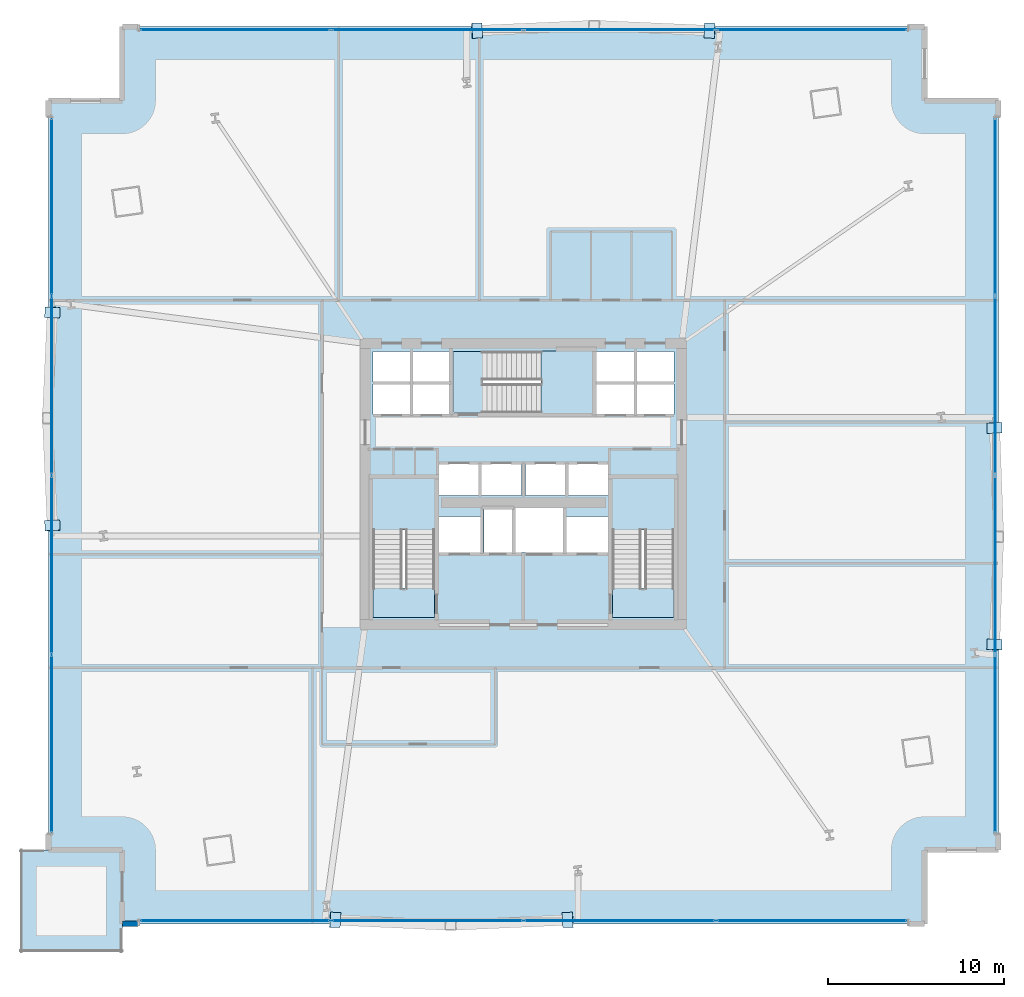
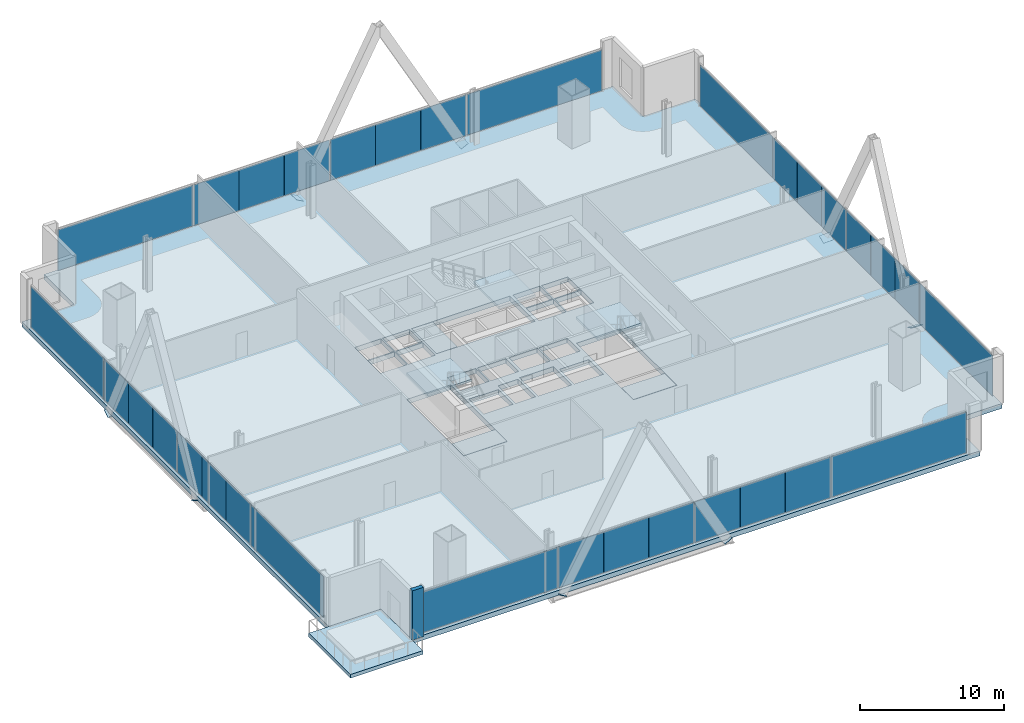
# One storey, part 19 of 29: 40 plates, 8 slabs, 1 wall, 7 elements without a shape of their own.
"""IFC4 building model written with IfcOpenShell, lengths in metres."""

from ifc_helpers import new_model, si_unit, direction, frame, frame_2d, origin, origin_2d, place, context, subcontext, project, spatial, polyline, rectangle, outline, extrude, source, transform, mapped, material, layer, layer_set, type_object, element, aggregate, save


model = new_model("IFC4")

# Units and contexts
model_context = context("Model", 3, precision=1e-05, world=origin(), true_north=direction((0.0, 1.0)))
body_context = subcontext(model_context, "Body", "Model", "MODEL_VIEW")
ifc_project = project(units=[si_unit("LENGTHUNIT", "METRE"), si_unit("AREAUNIT", "SQUARE_METRE"), si_unit("VOLUMEUNIT", "CUBIC_METRE"), si_unit("PLANEANGLEUNIT", "RADIAN"), si_unit("MASSUNIT", "GRAM", prefix="KILO")], contexts=[model_context])

# Site, building, storey
site_placement = place(None, origin())
site = spatial("IfcSite", under=ifc_project, at=site_placement, CompositionType="ELEMENT")
building_placement = place(site_placement, origin())
building = spatial("IfcBuilding", under=site, at=building_placement, Name="Haldenkirk Collegiate Tower", CompositionType="ELEMENT")
storey_placement = place(building_placement, frame((0.0, 0.0, 28.199951171875)))
storey = spatial("IfcBuildingStorey", under=building, at=storey_placement, Name="L05", CompositionType="ELEMENT", Elevation=28.199951171875)

# Slab
ifc_material_1 = material(Name="Concrete f'c 40 MPa", Category="concrete")
ifc_layer_1 = layer(ifc_material_1, 0.409912109375)
ifc_layer_set_1 = layer_set([ifc_layer_1], Name="Concrete f'c 40 MPa")
slab_type_1 = type_object("IfcSlabType", Name="SLB-FLR-410", PredefinedType="FLOOR", material=ifc_layer_set_1)
slab_1_placement = place(storey_placement, frame((0.0, 0.0, -0.409912109375)))
element("IfcSlab", 1, at=slab_1_placement, inside=storey, type_object=slab_type_1, Name="L05 composite structural floor slab", PredefinedType="FLOOR", context=body_context, shape_type="SweptSolid", body=[
    extrude(outline(polyline([(13.199951171875, 1.0), (58.800048828125, 1.0), (58.800048828125, 5.199951171875), (63.0, 5.199951171875), (63.0, 47.800048828125), (58.800048828125, 47.800048828125), (58.800048828125, 52.0), (13.199951171875, 52.0), (13.199951171875, 47.800048828125), (9.0, 47.800048828125), (9.0, 5.199951171875), (13.199951171875, 5.199951171875), (13.199951171875, 1.0)]), holes=[polyline([(27.449951171875, 18.39990234375), (30.949951171875, 18.39990234375), (30.949951171875, 26.300048828125), (27.449951171875, 26.300048828125), (27.449951171875, 18.39990234375)]), polyline([(41.050048828125, 18.39990234375), (44.550048828125, 18.39990234375), (44.550048828125, 26.300048828125), (41.050048828125, 26.300048828125), (41.050048828125, 18.39990234375)]), polyline([(32.0, 30.050048828125), (39.89990234375, 30.050048828125), (39.89990234375, 33.550048828125), (32.0, 33.550048828125), (32.0, 30.050048828125)]), polyline([(33.75, 22.10009765625), (35.35009765625, 22.10009765625), (35.35009765625, 24.550048828125), (33.75, 24.550048828125), (33.75, 22.10009765625)]), polyline([(27.449951171875, 29.949951171875), (29.580078125, 29.949951171875), (29.580078125, 31.699951171875), (27.449951171875, 31.699951171875), (27.449951171875, 29.949951171875)]), polyline([(29.679931640625, 29.949951171875), (31.85009765625, 29.949951171875), (31.85009765625, 31.699951171875), (29.679931640625, 31.699951171875), (29.679931640625, 29.949951171875)]), polyline([(27.449951171875, 31.800048828125), (29.580078125, 31.800048828125), (29.580078125, 33.550048828125), (27.449951171875, 33.550048828125), (27.449951171875, 31.800048828125)]), polyline([(29.679931640625, 31.800048828125), (31.85009765625, 31.800048828125), (31.85009765625, 33.550048828125), (29.679931640625, 33.550048828125), (29.679931640625, 31.800048828125)]), polyline([(40.14990234375, 29.949951171875), (42.320068359375, 29.949951171875), (42.320068359375, 31.699951171875), (40.14990234375, 31.699951171875), (40.14990234375, 29.949951171875)]), polyline([(42.419921875, 29.949951171875), (44.550048828125, 29.949951171875), (44.550048828125, 31.699951171875), (42.419921875, 31.699951171875), (42.419921875, 29.949951171875)]), polyline([(40.14990234375, 31.800048828125), (42.320068359375, 31.800048828125), (42.320068359375, 33.550048828125), (40.14990234375, 33.550048828125), (40.14990234375, 31.800048828125)]), polyline([(42.419921875, 31.800048828125), (44.550048828125, 31.800048828125), (44.550048828125, 33.550048828125), (42.419921875, 33.550048828125), (42.419921875, 31.800048828125)]), polyline([(31.199951171875, 25.35009765625), (33.47998046875, 25.35009765625), (33.47998046875, 27.14990234375), (31.199951171875, 27.14990234375), (31.199951171875, 25.35009765625)]), polyline([(33.60009765625, 25.35009765625), (35.8798828125, 25.35009765625), (35.8798828125, 27.14990234375), (33.60009765625, 27.14990234375), (33.60009765625, 25.35009765625)]), polyline([(36.1201171875, 25.35009765625), (38.39990234375, 25.35009765625), (38.39990234375, 27.14990234375), (36.1201171875, 27.14990234375), (36.1201171875, 25.35009765625)]), polyline([(38.52001953125, 25.35009765625), (40.800048828125, 25.35009765625), (40.800048828125, 27.14990234375), (38.52001953125, 27.14990234375), (38.52001953125, 25.35009765625)]), polyline([(31.199951171875, 22.10009765625), (33.550048828125, 22.10009765625), (33.550048828125, 24.14990234375), (31.199951171875, 24.14990234375), (31.199951171875, 22.10009765625)]), polyline([(38.449951171875, 22.10009765625), (40.800048828125, 22.10009765625), (40.800048828125, 24.14990234375), (38.449951171875, 24.14990234375), (38.449951171875, 22.10009765625)]), polyline([(35.550048828125, 22.10009765625), (38.25, 22.10009765625), (38.25, 24.64990234375), (35.550048828125, 24.64990234375), (35.550048828125, 22.10009765625)])]), origin(), (0.0, 0.0, 1.0), 0.409912109375),
])

# Stair, slab
stair_type = type_object("IfcStairType", Name="STR-DOGLEG-1650", PredefinedType="HALF_TURN_STAIR", material=ifc_material_1)
stair_1_placement = place(storey_placement, origin())
stair_1 = element("IfcStair", 2, at=stair_1_placement, inside=storey, type_object=stair_type, Name="L05 Core Exit Stair ST-1", PredefinedType="HALF_TURN_STAIR")
ifc_layer_2 = layer(ifc_material_1, 0.199951171875)
ifc_layer_set_2 = layer_set([ifc_layer_2], Name="Concrete f'c 40 MPa")
slab_type_2 = type_object("IfcSlabType", Name="SLB-LANDING-200", PredefinedType="LANDING", material=ifc_layer_set_2)
slab_2_placement = place(storey_placement, frame((0.0, 0.0, 2.050048828125)))
slab_2 = element("IfcSlab", 3, at=slab_2_placement, type_object=slab_type_2, Name="ST-1 landing 1", PredefinedType="LANDING", context=body_context, shape_type="SweptSolid", body=[
    extrude(outline(polyline([(30.97509765625, 23.385009765625), (27.425048828125, 23.385009765625), (27.425048828125, 26.324951171875), (30.97509765625, 26.324951171875), (30.97509765625, 23.385009765625)])), origin(), (0.0, 0.0, 1.0), 0.199951171875),
])
aggregate(stair_1, [slab_2])

stair_2_placement = place(storey_placement, origin())
stair_2 = element("IfcStair", 4, at=stair_2_placement, inside=storey, type_object=stair_type, Name="L05 Core Exit Stair ST-2", PredefinedType="HALF_TURN_STAIR")
slab_3_placement = place(storey_placement, frame((0.0, 0.0, 2.050048828125)))
slab_3 = element("IfcSlab", 5, at=slab_3_placement, type_object=slab_type_2, Name="ST-2 landing 1", PredefinedType="LANDING", context=body_context, shape_type="SweptSolid", body=[
    extrude(outline(polyline([(44.574951171875, 23.385009765625), (41.02490234375, 23.385009765625), (41.02490234375, 26.324951171875), (44.574951171875, 26.324951171875), (44.574951171875, 23.385009765625)])), origin(), (0.0, 0.0, 1.0), 0.199951171875),
])
aggregate(stair_2, [slab_3])

stair_3_placement = place(storey_placement, origin())
stair_3 = element("IfcStair", 6, at=stair_3_placement, inside=storey, type_object=stair_type, Name="L05 Core Exit Stair ST-3", PredefinedType="HALF_TURN_STAIR")
slab_4_placement = place(storey_placement, frame((0.0, 0.0, 2.050048828125)))
slab_4 = element("IfcSlab", 7, at=slab_4_placement, type_object=slab_type_2, Name="ST-3 landing 1", PredefinedType="LANDING", context=body_context, shape_type="SweptSolid", body=[
    extrude(outline(polyline([(36.985107421875, 30.02490234375), (36.985107421875, 33.574951171875), (39.925048828125, 33.574951171875), (39.925048828125, 30.02490234375), (36.985107421875, 30.02490234375)])), origin(), (0.0, 0.0, 1.0), 0.199951171875),
])
aggregate(stair_3, [slab_4])

# Slabs
ifc_layer_3 = layer(ifc_material_1, 0.31005859375)
ifc_layer_set_3 = layer_set([ifc_layer_3], Name="Concrete f'c 40 MPa")
slab_type_3 = type_object("IfcSlabType", Name="SLB-SKYGARDEN-310", PredefinedType="ROOF", material=ifc_layer_set_3)
slab_5_placement = place(storey_placement, frame((0.0, 0.0, -0.31005859375)))
element("IfcSlab", 8, at=slab_5_placement, inside=storey, type_object=slab_type_3, Name="L05 sky-garden planted terrace slab", PredefinedType="ROOF", context=body_context, shape_type="SweptSolid", body=[
    extrude(outline(polyline([(7.39990234375, -0.60009765625), (13.199951171875, -0.60009765625), (13.199951171875, 5.199951171875), (7.39990234375, 5.199951171875), (7.39990234375, -0.60009765625)])), origin(), (0.0, 0.0, 1.0), 0.31005859375),
])
ifc_layer_4 = layer(ifc_material_1, 0.25)
ifc_layer_set_4 = layer_set([ifc_layer_4], Name="Concrete f'c 40 MPa")
slab_type_4 = type_object("IfcSlabType", Name="SLB-STAIRLAND-250", PredefinedType="LANDING", material=ifc_layer_set_4)
slab_6_placement = place(storey_placement, frame((0.0, 0.0, -0.25)))
element("IfcSlab", 9, at=slab_6_placement, inside=storey, type_object=slab_type_4, Name="L05 stair ST1 structural floor landing slab", PredefinedType="LANDING", context=body_context, shape_type="SweptSolid", body=[
    extrude(outline(polyline([(27.4599609375, 18.409912109375), (30.93994140625, 18.409912109375), (30.93994140625, 20.080078125), (27.4599609375, 20.080078125), (27.4599609375, 18.409912109375)])), origin(), (0.0, 0.0, 1.0), 0.25),
])
slab_7_placement = place(storey_placement, frame((0.0, 0.0, -0.25)))
element("IfcSlab", 10, at=slab_7_placement, inside=storey, type_object=slab_type_4, Name="L05 stair ST2 structural floor landing slab", PredefinedType="LANDING", context=body_context, shape_type="SweptSolid", body=[
    extrude(outline(polyline([(41.06005859375, 18.409912109375), (44.5400390625, 18.409912109375), (44.5400390625, 20.080078125), (41.06005859375, 20.080078125), (41.06005859375, 18.409912109375)])), origin(), (0.0, 0.0, 1.0), 0.25),
])
slab_8_placement = place(storey_placement, frame((0.0, 0.0, -0.25)))
element("IfcSlab", 11, at=slab_8_placement, inside=storey, type_object=slab_type_4, Name="L05 stair ST3 structural floor landing slab", PredefinedType="LANDING", context=body_context, shape_type="SweptSolid", body=[
    extrude(outline(polyline([(32.010009765625, 30.06005859375), (33.679931640625, 30.06005859375), (33.679931640625, 33.5400390625), (32.010009765625, 33.5400390625), (32.010009765625, 30.06005859375)])), origin(), (0.0, 0.0, 1.0), 0.25),
])

# Plates
ifc_material_2 = material(Name="Steel ASTM A572 Grade 50", Category="steel")
ifc_layer_5 = layer(ifc_material_2, 0.034912109375)
ifc_layer_set_5 = layer_set([ifc_layer_5], Name="Steel ASTM A572 Grade 50")
plate_type_1 = type_object("IfcPlateType", Name="PLT-CAP-EXT-760X600", PredefinedType="USERDEFINED", material=ifc_layer_set_5)
shared_shape_1 = source(origin(), body_context, "Body", "SweptSolid", [
    extrude(rectangle(XDim=0.860107421875, YDim=0.659912109375, at=origin_2d()), origin(), (0.0, 0.0, 1.0), 0.034912109375),
])
for number, where, z_axis, x_axis, name in (
    (12, (25.310302734375, 1.2197265625, -0.417236328125), (-0.47594008721, 0.021406003922, -0.879217161106), (-0.044931737451, -0.998990059495, 4.88968e-07), "Perimeter Mega Brace Z1 L05-L07 SL end cap plate 1"),
    (13, (38.507568359375, 1.2197265625, -0.417236328125), (0.481520193752, 0.021332008583, -0.876175352552), (-0.044258763697, 0.999020100817, -4.37247e-07), "Perimeter Mega Brace Z1 L05-L07 SR end cap plate 1"),
    (14, (62.780029296875, 16.885009765625, -0.417236328125), (-0.016899997224, -0.451373925862, -0.89217485346), (0.999299843579, -0.037414203497, -4.13223e-07), "Perimeter Mega Brace Z1 L05-L07 EL end cap plate 1"),
    (15, (62.780029296875, 29.187255859375, -0.417236328125), (-0.01686499911, 0.45497997598, -0.890341952995), (-0.999313708983, -0.03704201721, 5.4711e-08), "Perimeter Mega Brace Z1 L05-L07 ER end cap plate 1"),
    (16, (46.5791015625, 51.7802734375, -0.417236328125), (0.47648876031, -0.021006989433, -0.878929557868), (0.044044820589, 0.999029556009, 2.94261e-07), "Perimeter Mega Brace Z1 L05-L07 NL end cap plate 1"),
    (17, (33.373291015625, 51.780029296875, -0.417236328125), (-0.481468186868, -0.020942008128, -0.876213340077), (0.043455025333, -0.999055384237, 1.5658e-08), "Perimeter Mega Brace Z1 L05-L07 NR end cap plate 1"),
    (18, (9.219970703125, 35.75, -0.417236328125), (0.020316993042, 0.444418847793, -0.895588693274), (-0.998956635038, 0.045668822125, 3.24151e-07), "Perimeter Mega Brace Z1 L05-L07 WL end cap plate 1"),
    (19, (9.219970703125, 23.654296875, -0.417236328125), (0.020257006132, -0.449723136126, -0.892938270283), (0.998987079994, 0.044997933351, -1.39205e-07), "Perimeter Mega Brace Z1 L05-L07 WR end cap plate 1"),
):
    element("IfcPlate", number, at=place(storey_placement, frame(where, z_axis=z_axis, x_axis=x_axis)), inside=storey, type_object=plate_type_1, Name=name, ObjectType="END CAP PLATE", PredefinedType="USERDEFINED", context=body_context, shape_type="MappedRepresentation", body=[
        mapped(shared_shape_1, transform((0.0, 0.0, 0.0), x_axis=(1.0, 0.0, 0.0), y_axis=(0.0, 1.0, 0.0), z_axis=(0.0, 0.0, 1.0), scale=1.0)),
    ])

# Curtain wall, plates
ifc_material_3 = material(Name="Anodised architectural bronze aluminium", Category="aluminium")
curtain_wall_type = type_object("IfcCurtainWallType", Name="CW-SYS4-SKYGARDEN", PredefinedType="USERDEFINED", material=ifc_material_3)
curtain_wall_1_placement = place(storey_placement, origin())
curtain_wall_1 = element("IfcCurtainWall", 20, at=curtain_wall_1_placement, inside=storey, type_object=curtain_wall_type, Name="L05 Sky-garden tall bronze curtain wall", ObjectType="UNITISED CURTAIN WALL", PredefinedType="USERDEFINED")
ifc_material_4 = material(Name="Low-E argon triple insulating glass", Category="glass")
ifc_layer_6 = layer(ifc_material_4, 0.0458984375)
ifc_layer_set_6 = layer_set([ifc_layer_6], Name="Low-E argon triple insulating glass")
plate_type_2 = type_object("IfcPlateType", Name="CW-PNL-04", PredefinedType="CURTAIN_PANEL", material=ifc_layer_set_6)
shared_shape_2 = source(origin(), body_context, "Body", "SweptSolid", [
    extrude(rectangle(XDim=10.81494140625, YDim=0.0458984375, at=origin_2d()), origin(), (0.0, 0.0, 1.0), 3.4609375),
])
plate_1_placement = place(storey_placement, frame((52.402587890625, 1.179931640625, 0.090087890625), z_axis=(0.0, 0.0, 1.0), x_axis=(-1.0, 0.0, 0.0)))
plate_1 = element("IfcPlate", 21, at=plate_1_placement, type_object=plate_type_2, Name="CW-04 panel 1.1", PredefinedType="CURTAIN_PANEL", context=body_context, shape_type="MappedRepresentation", body=[
    mapped(shared_shape_2, transform((0.0, 0.0, 0.0), x_axis=(1.0, 0.0, 0.0), y_axis=(0.0, 1.0, 0.0), z_axis=(0.0, 0.0, 1.0), scale=1.0)),
])
plate_2_placement = place(storey_placement, frame((19.597412109375, 1.179931640625, 0.090087890625), z_axis=(0.0, 0.0, 1.0), x_axis=(-1.0, 0.0, 0.0)))
plate_2 = element("IfcPlate", 22, at=plate_2_placement, type_object=plate_type_2, Name="CW-04 panel 4.1", PredefinedType="CURTAIN_PANEL", context=body_context, shape_type="MappedRepresentation", body=[
    mapped(shared_shape_2, transform((0.0, 0.0, 0.0), x_axis=(1.0, 0.0, 0.0), y_axis=(0.0, 1.0, 0.0), z_axis=(0.0, 0.0, 1.0), scale=1.0)),
])

curtain_wall_2_placement = place(storey_placement, origin())
curtain_wall_2 = element("IfcCurtainWall", 23, at=curtain_wall_2_placement, inside=storey, type_object=curtain_wall_type, Name="L05 Sky-garden tall bronze curtain wall", ObjectType="UNITISED CURTAIN WALL", PredefinedType="USERDEFINED")
plate_3_placement = place(storey_placement, frame((19.597412109375, 51.820068359375, 0.090087890625), z_axis=(0.0, 0.0, 1.0), x_axis=(1.0, 0.0, 0.0)))
plate_3 = element("IfcPlate", 24, at=plate_3_placement, type_object=plate_type_2, Name="CW-04 panel 1.1", PredefinedType="CURTAIN_PANEL", context=body_context, shape_type="MappedRepresentation", body=[
    mapped(shared_shape_2, transform((0.0, 0.0, 0.0), x_axis=(1.0, 0.0, 0.0), y_axis=(0.0, 1.0, 0.0), z_axis=(0.0, 0.0, 1.0), scale=1.0)),
])
plate_4_placement = place(storey_placement, frame((52.402587890625, 51.820068359375, 0.090087890625), z_axis=(0.0, 0.0, 1.0), x_axis=(1.0, 0.0, 0.0)))
plate_4 = element("IfcPlate", 25, at=plate_4_placement, type_object=plate_type_2, Name="CW-04 panel 4.1", PredefinedType="CURTAIN_PANEL", context=body_context, shape_type="MappedRepresentation", body=[
    mapped(shared_shape_2, transform((0.0, 0.0, 0.0), x_axis=(1.0, 0.0, 0.0), y_axis=(0.0, 1.0, 0.0), z_axis=(0.0, 0.0, 1.0), scale=1.0)),
])

# Plate
shared_shape_3 = source(origin(), body_context, "Body", "SweptSolid", [
    extrude(rectangle(XDim=3.607421875, YDim=0.0458984375, at=origin_2d()), origin(), (0.0, 0.0, 1.0), 3.4609375),
])
plate_5_placement = place(storey_placement, frame((45.101318359375, 1.179931640625, 0.090087890625), z_axis=(0.0, 0.0, 1.0), x_axis=(-1.0, 0.0, 0.0)))
plate_5 = element("IfcPlate", 26, at=plate_5_placement, type_object=plate_type_2, Name="CW-04 panel 2.1a", PredefinedType="CURTAIN_PANEL", context=body_context, shape_type="MappedRepresentation", body=[
    mapped(shared_shape_3, transform((0.0, 0.0, 0.0), x_axis=(1.0, 0.0, 0.0), y_axis=(0.0, 1.0, 0.0), z_axis=(0.0, 0.0, 1.0), scale=1.0)),
])

ifc_material_5 = material(Name="Bronze-anodised insulated aluminium spandrel panel", Category="aluminium")
ifc_layer_7 = layer(ifc_material_5, 0.0458984375)
ifc_layer_set_7 = layer_set([ifc_layer_7], Name="Bronze-anodised insulated aluminium spandrel panel")
plate_type_3 = type_object("IfcPlateType", Name="CW-SPD-04", PredefinedType="CURTAIN_PANEL", material=ifc_layer_set_7)
plate_6_placement = place(storey_placement, frame((37.848876953125, 1.179931640625, 0.090087890625), z_axis=(0.0, 0.0, 1.0), x_axis=(-1.0, 0.0, 0.0)))
plate_6 = element("IfcPlate", 27, at=plate_6_placement, type_object=plate_type_3, Name="CW-04 spandrel panel 2.1c", PredefinedType="CURTAIN_PANEL", context=body_context, shape_type="MappedRepresentation", body=[
    mapped(shared_shape_3, transform((0.0, 0.0, 0.0), x_axis=(1.0, 0.0, 0.0), y_axis=(0.0, 1.0, 0.0), z_axis=(0.0, 0.0, 1.0), scale=1.0)),
])

plate_7_placement = place(storey_placement, frame((34.151123046875, 1.179931640625, 0.090087890625), z_axis=(0.0, 0.0, 1.0), x_axis=(-1.0, 0.0, 0.0)))
plate_7 = element("IfcPlate", 28, at=plate_7_placement, type_object=plate_type_3, Name="CW-04 spandrel panel 3.1a", PredefinedType="CURTAIN_PANEL", context=body_context, shape_type="MappedRepresentation", body=[
    mapped(shared_shape_3, transform((0.0, 0.0, 0.0), x_axis=(1.0, 0.0, 0.0), y_axis=(0.0, 1.0, 0.0), z_axis=(0.0, 0.0, 1.0), scale=1.0)),
])

plate_8_placement = place(storey_placement, frame((26.898681640625, 1.179931640625, 0.090087890625), z_axis=(0.0, 0.0, 1.0), x_axis=(-1.0, 0.0, 0.0)))
plate_8 = element("IfcPlate", 29, at=plate_8_placement, type_object=plate_type_3, Name="CW-04 spandrel panel 3.1c", PredefinedType="CURTAIN_PANEL", context=body_context, shape_type="MappedRepresentation", body=[
    mapped(shared_shape_3, transform((0.0, 0.0, 0.0), x_axis=(1.0, 0.0, 0.0), y_axis=(0.0, 1.0, 0.0), z_axis=(0.0, 0.0, 1.0), scale=1.0)),
])

plate_9_placement = place(storey_placement, frame((26.898681640625, 51.820068359375, 0.090087890625), z_axis=(0.0, 0.0, 1.0), x_axis=(1.0, 0.0, 0.0)))
plate_9 = element("IfcPlate", 30, at=plate_9_placement, type_object=plate_type_2, Name="CW-04 panel 2.1a", PredefinedType="CURTAIN_PANEL", context=body_context, shape_type="MappedRepresentation", body=[
    mapped(shared_shape_3, transform((0.0, 0.0, 0.0), x_axis=(1.0, 0.0, 0.0), y_axis=(0.0, 1.0, 0.0), z_axis=(0.0, 0.0, 1.0), scale=1.0)),
])

plate_10_placement = place(storey_placement, frame((34.151123046875, 51.820068359375, 0.090087890625), z_axis=(0.0, 0.0, 1.0), x_axis=(1.0, 0.0, 0.0)))
plate_10 = element("IfcPlate", 31, at=plate_10_placement, type_object=plate_type_3, Name="CW-04 spandrel panel 2.1c", PredefinedType="CURTAIN_PANEL", context=body_context, shape_type="MappedRepresentation", body=[
    mapped(shared_shape_3, transform((0.0, 0.0, 0.0), x_axis=(1.0, 0.0, 0.0), y_axis=(0.0, 1.0, 0.0), z_axis=(0.0, 0.0, 1.0), scale=1.0)),
])

plate_11_placement = place(storey_placement, frame((37.8486328125, 51.820068359375, 0.090087890625), z_axis=(0.0, 0.0, 1.0), x_axis=(1.0, 0.0, 0.0)))
plate_11 = element("IfcPlate", 32, at=plate_11_placement, type_object=plate_type_3, Name="CW-04 spandrel panel 3.1a", PredefinedType="CURTAIN_PANEL", context=body_context, shape_type="MappedRepresentation", body=[
    mapped(shared_shape_3, transform((0.0, 0.0, 0.0), x_axis=(1.0, 0.0, 0.0), y_axis=(0.0, 1.0, 0.0), z_axis=(0.0, 0.0, 1.0), scale=1.0)),
])

plate_12_placement = place(storey_placement, frame((45.101318359375, 51.820068359375, 0.090087890625), z_axis=(0.0, 0.0, 1.0), x_axis=(1.0, 0.0, 0.0)))
plate_12 = element("IfcPlate", 33, at=plate_12_placement, type_object=plate_type_3, Name="CW-04 spandrel panel 3.1c", PredefinedType="CURTAIN_PANEL", context=body_context, shape_type="MappedRepresentation", body=[
    mapped(shared_shape_3, transform((0.0, 0.0, 0.0), x_axis=(1.0, 0.0, 0.0), y_axis=(0.0, 1.0, 0.0), z_axis=(0.0, 0.0, 1.0), scale=1.0)),
])

shared_shape_4 = source(origin(), body_context, "Body", "SweptSolid", [
    extrude(rectangle(XDim=3.594970703125, YDim=0.0458984375, at=origin_2d()), origin(), (0.0, 0.0, 1.0), 3.4609375),
])
plate_13_placement = place(storey_placement, frame((41.47509765625, 1.179931640625, 0.090087890625), z_axis=(0.0, 0.0, 1.0), x_axis=(-1.0, 0.0, 0.0)))
plate_13 = element("IfcPlate", 34, at=plate_13_placement, type_object=plate_type_2, Name="CW-04 panel 2.1b", PredefinedType="CURTAIN_PANEL", context=body_context, shape_type="MappedRepresentation", body=[
    mapped(shared_shape_4, transform((0.0, 0.0, 0.0), x_axis=(1.0, 0.0, 0.0), y_axis=(0.0, 1.0, 0.0), z_axis=(0.0, 0.0, 1.0), scale=1.0)),
])

plate_14_placement = place(storey_placement, frame((30.52490234375, 1.179931640625, 0.090087890625), z_axis=(0.0, 0.0, 1.0), x_axis=(-1.0, 0.0, 0.0)))
plate_14 = element("IfcPlate", 35, at=plate_14_placement, type_object=plate_type_2, Name="CW-04 panel 3.1b", PredefinedType="CURTAIN_PANEL", context=body_context, shape_type="MappedRepresentation", body=[
    mapped(shared_shape_4, transform((0.0, 0.0, 0.0), x_axis=(1.0, 0.0, 0.0), y_axis=(0.0, 1.0, 0.0), z_axis=(0.0, 0.0, 1.0), scale=1.0)),
])

aggregate(curtain_wall_1, [plate_1, plate_5, plate_13, plate_6, plate_7, plate_14, plate_8, plate_2])

plate_15_placement = place(storey_placement, frame((30.52490234375, 51.820068359375, 0.090087890625), z_axis=(0.0, 0.0, 1.0), x_axis=(1.0, 0.0, 0.0)))
plate_15 = element("IfcPlate", 36, at=plate_15_placement, type_object=plate_type_2, Name="CW-04 panel 2.1b", PredefinedType="CURTAIN_PANEL", context=body_context, shape_type="MappedRepresentation", body=[
    mapped(shared_shape_4, transform((0.0, 0.0, 0.0), x_axis=(1.0, 0.0, 0.0), y_axis=(0.0, 1.0, 0.0), z_axis=(0.0, 0.0, 1.0), scale=1.0)),
])

plate_16_placement = place(storey_placement, frame((41.47509765625, 51.820068359375, 0.090087890625), z_axis=(0.0, 0.0, 1.0), x_axis=(1.0, 0.0, 0.0)))
plate_16 = element("IfcPlate", 37, at=plate_16_placement, type_object=plate_type_2, Name="CW-04 panel 3.1b", PredefinedType="CURTAIN_PANEL", context=body_context, shape_type="MappedRepresentation", body=[
    mapped(shared_shape_4, transform((0.0, 0.0, 0.0), x_axis=(1.0, 0.0, 0.0), y_axis=(0.0, 1.0, 0.0), z_axis=(0.0, 0.0, 1.0), scale=1.0)),
])

aggregate(curtain_wall_2, [plate_3, plate_9, plate_15, plate_10, plate_11, plate_16, plate_12, plate_4])

# Curtain wall, plates
curtain_wall_3_placement = place(storey_placement, origin())
curtain_wall_3 = element("IfcCurtainWall", 38, at=curtain_wall_3_placement, inside=storey, type_object=curtain_wall_type, Name="L05 Sky-garden tall bronze curtain wall", ObjectType="UNITISED CURTAIN WALL", PredefinedType="USERDEFINED")
shared_shape_5 = source(origin(), body_context, "Body", "SweptSolid", [
    extrude(rectangle(XDim=10.06494140625, YDim=0.0458984375, at=origin_2d()), origin(), (0.0, 0.0, 1.0), 3.4609375),
])
plate_17_placement = place(storey_placement, frame((62.820068359375, 41.777587890625, 0.090087890625), z_axis=(0.0, 0.0, 1.0), x_axis=(0.0, -1.0, 0.0)))
plate_17 = element("IfcPlate", 39, at=plate_17_placement, type_object=plate_type_2, Name="CW-04 panel 1.1", PredefinedType="CURTAIN_PANEL", context=body_context, shape_type="MappedRepresentation", body=[
    mapped(shared_shape_5, transform((0.0, 0.0, 0.0), x_axis=(1.0, 0.0, 0.0), y_axis=(0.0, 1.0, 0.0), z_axis=(0.0, 0.0, 1.0), scale=1.0)),
])
plate_18_placement = place(storey_placement, frame((62.820068359375, 11.222412109375, 0.090087890625), z_axis=(0.0, 0.0, 1.0), x_axis=(0.0, -1.0, 0.0)))
plate_18 = element("IfcPlate", 40, at=plate_18_placement, type_object=plate_type_2, Name="CW-04 panel 4.1", PredefinedType="CURTAIN_PANEL", context=body_context, shape_type="MappedRepresentation", body=[
    mapped(shared_shape_5, transform((0.0, 0.0, 0.0), x_axis=(1.0, 0.0, 0.0), y_axis=(0.0, 1.0, 0.0), z_axis=(0.0, 0.0, 1.0), scale=1.0)),
])

curtain_wall_4_placement = place(storey_placement, origin())
curtain_wall_4 = element("IfcCurtainWall", 41, at=curtain_wall_4_placement, inside=storey, type_object=curtain_wall_type, Name="L05 Sky-garden tall bronze curtain wall", ObjectType="UNITISED CURTAIN WALL", PredefinedType="USERDEFINED")
plate_19_placement = place(storey_placement, frame((9.179931640625, 11.222412109375, 0.090087890625), z_axis=(0.0, 0.0, 1.0), x_axis=(0.0, 1.0, 0.0)))
plate_19 = element("IfcPlate", 42, at=plate_19_placement, type_object=plate_type_2, Name="CW-04 panel 1.1", PredefinedType="CURTAIN_PANEL", context=body_context, shape_type="MappedRepresentation", body=[
    mapped(shared_shape_5, transform((0.0, 0.0, 0.0), x_axis=(1.0, 0.0, 0.0), y_axis=(0.0, 1.0, 0.0), z_axis=(0.0, 0.0, 1.0), scale=1.0)),
])
plate_20_placement = place(storey_placement, frame((9.179931640625, 41.777587890625, 0.090087890625), z_axis=(0.0, 0.0, 1.0), x_axis=(0.0, 1.0, 0.0)))
plate_20 = element("IfcPlate", 43, at=plate_20_placement, type_object=plate_type_2, Name="CW-04 panel 4.1", PredefinedType="CURTAIN_PANEL", context=body_context, shape_type="MappedRepresentation", body=[
    mapped(shared_shape_5, transform((0.0, 0.0, 0.0), x_axis=(1.0, 0.0, 0.0), y_axis=(0.0, 1.0, 0.0), z_axis=(0.0, 0.0, 1.0), scale=1.0)),
])

# Plate
shared_shape_6 = source(origin(), body_context, "Body", "SweptSolid", [
    extrude(rectangle(XDim=3.357421875, YDim=0.0458984375, at=origin_2d()), origin(), (0.0, 0.0, 1.0), 3.4609375),
])
plate_21_placement = place(storey_placement, frame((62.820068359375, 34.976318359375, 0.090087890625), z_axis=(0.0, 0.0, 1.0), x_axis=(0.0, -1.0, 0.0)))
plate_21 = element("IfcPlate", 44, at=plate_21_placement, type_object=plate_type_2, Name="CW-04 panel 2.1a", PredefinedType="CURTAIN_PANEL", context=body_context, shape_type="MappedRepresentation", body=[
    mapped(shared_shape_6, transform((0.0, 0.0, 0.0), x_axis=(1.0, 0.0, 0.0), y_axis=(0.0, 1.0, 0.0), z_axis=(0.0, 0.0, 1.0), scale=1.0)),
])

plate_22_placement = place(storey_placement, frame((62.820068359375, 28.223876953125, 0.090087890625), z_axis=(0.0, 0.0, 1.0), x_axis=(0.0, -1.0, 0.0)))
plate_22 = element("IfcPlate", 45, at=plate_22_placement, type_object=plate_type_3, Name="CW-04 spandrel panel 2.1c", PredefinedType="CURTAIN_PANEL", context=body_context, shape_type="MappedRepresentation", body=[
    mapped(shared_shape_6, transform((0.0, 0.0, 0.0), x_axis=(1.0, 0.0, 0.0), y_axis=(0.0, 1.0, 0.0), z_axis=(0.0, 0.0, 1.0), scale=1.0)),
])

plate_23_placement = place(storey_placement, frame((62.820068359375, 24.776123046875, 0.090087890625), z_axis=(0.0, 0.0, 1.0), x_axis=(0.0, -1.0, 0.0)))
plate_23 = element("IfcPlate", 46, at=plate_23_placement, type_object=plate_type_2, Name="CW-04 panel 3.1a", PredefinedType="CURTAIN_PANEL", context=body_context, shape_type="MappedRepresentation", body=[
    mapped(shared_shape_6, transform((0.0, 0.0, 0.0), x_axis=(1.0, 0.0, 0.0), y_axis=(0.0, 1.0, 0.0), z_axis=(0.0, 0.0, 1.0), scale=1.0)),
])

plate_24_placement = place(storey_placement, frame((62.820068359375, 18.023681640625, 0.090087890625), z_axis=(0.0, 0.0, 1.0), x_axis=(0.0, -1.0, 0.0)))
plate_24 = element("IfcPlate", 47, at=plate_24_placement, type_object=plate_type_3, Name="CW-04 spandrel panel 3.1c", PredefinedType="CURTAIN_PANEL", context=body_context, shape_type="MappedRepresentation", body=[
    mapped(shared_shape_6, transform((0.0, 0.0, 0.0), x_axis=(1.0, 0.0, 0.0), y_axis=(0.0, 1.0, 0.0), z_axis=(0.0, 0.0, 1.0), scale=1.0)),
])

plate_25_placement = place(storey_placement, frame((9.179931640625, 18.023681640625, 0.090087890625), z_axis=(0.0, 0.0, 1.0), x_axis=(0.0, 1.0, 0.0)))
plate_25 = element("IfcPlate", 48, at=plate_25_placement, type_object=plate_type_2, Name="CW-04 panel 2.1a", PredefinedType="CURTAIN_PANEL", context=body_context, shape_type="MappedRepresentation", body=[
    mapped(shared_shape_6, transform((0.0, 0.0, 0.0), x_axis=(1.0, 0.0, 0.0), y_axis=(0.0, 1.0, 0.0), z_axis=(0.0, 0.0, 1.0), scale=1.0)),
])

plate_26_placement = place(storey_placement, frame((9.179931640625, 24.776123046875, 0.090087890625), z_axis=(0.0, 0.0, 1.0), x_axis=(0.0, 1.0, 0.0)))
plate_26 = element("IfcPlate", 49, at=plate_26_placement, type_object=plate_type_3, Name="CW-04 spandrel panel 2.1c", PredefinedType="CURTAIN_PANEL", context=body_context, shape_type="MappedRepresentation", body=[
    mapped(shared_shape_6, transform((0.0, 0.0, 0.0), x_axis=(1.0, 0.0, 0.0), y_axis=(0.0, 1.0, 0.0), z_axis=(0.0, 0.0, 1.0), scale=1.0)),
])

plate_27_placement = place(storey_placement, frame((9.179931640625, 28.223876953125, 0.090087890625), z_axis=(0.0, 0.0, 1.0), x_axis=(0.0, 1.0, 0.0)))
plate_27 = element("IfcPlate", 50, at=plate_27_placement, type_object=plate_type_2, Name="CW-04 panel 3.1a", PredefinedType="CURTAIN_PANEL", context=body_context, shape_type="MappedRepresentation", body=[
    mapped(shared_shape_6, transform((0.0, 0.0, 0.0), x_axis=(1.0, 0.0, 0.0), y_axis=(0.0, 1.0, 0.0), z_axis=(0.0, 0.0, 1.0), scale=1.0)),
])

plate_28_placement = place(storey_placement, frame((9.179931640625, 34.976318359375, 0.090087890625), z_axis=(0.0, 0.0, 1.0), x_axis=(0.0, 1.0, 0.0)))
plate_28 = element("IfcPlate", 51, at=plate_28_placement, type_object=plate_type_3, Name="CW-04 spandrel panel 3.1c", PredefinedType="CURTAIN_PANEL", context=body_context, shape_type="MappedRepresentation", body=[
    mapped(shared_shape_6, transform((0.0, 0.0, 0.0), x_axis=(1.0, 0.0, 0.0), y_axis=(0.0, 1.0, 0.0), z_axis=(0.0, 0.0, 1.0), scale=1.0)),
])

shared_shape_7 = source(origin(), body_context, "Body", "SweptSolid", [
    extrude(rectangle(XDim=3.344970703125, YDim=0.0458984375, at=origin_2d()), origin(), (0.0, 0.0, 1.0), 3.4609375),
])
plate_29_placement = place(storey_placement, frame((62.820068359375, 31.60009765625, 0.090087890625), z_axis=(0.0, 0.0, 1.0), x_axis=(0.0, -1.0, 0.0)))
plate_29 = element("IfcPlate", 52, at=plate_29_placement, type_object=plate_type_2, Name="CW-04 panel 2.1b", PredefinedType="CURTAIN_PANEL", context=body_context, shape_type="MappedRepresentation", body=[
    mapped(shared_shape_7, transform((0.0, 0.0, 0.0), x_axis=(1.0, 0.0, 0.0), y_axis=(0.0, 1.0, 0.0), z_axis=(0.0, 0.0, 1.0), scale=1.0)),
])

plate_30_placement = place(storey_placement, frame((62.820068359375, 21.39990234375, 0.090087890625), z_axis=(0.0, 0.0, 1.0), x_axis=(0.0, -1.0, 0.0)))
plate_30 = element("IfcPlate", 53, at=plate_30_placement, type_object=plate_type_2, Name="CW-04 panel 3.1b", PredefinedType="CURTAIN_PANEL", context=body_context, shape_type="MappedRepresentation", body=[
    mapped(shared_shape_7, transform((0.0, 0.0, 0.0), x_axis=(1.0, 0.0, 0.0), y_axis=(0.0, 1.0, 0.0), z_axis=(0.0, 0.0, 1.0), scale=1.0)),
])

aggregate(curtain_wall_3, [plate_17, plate_21, plate_29, plate_22, plate_23, plate_30, plate_24, plate_18])

plate_31_placement = place(storey_placement, frame((9.179931640625, 21.39990234375, 0.090087890625), z_axis=(0.0, 0.0, 1.0), x_axis=(0.0, 1.0, 0.0)))
plate_31 = element("IfcPlate", 54, at=plate_31_placement, type_object=plate_type_2, Name="CW-04 panel 2.1b", PredefinedType="CURTAIN_PANEL", context=body_context, shape_type="MappedRepresentation", body=[
    mapped(shared_shape_7, transform((0.0, 0.0, 0.0), x_axis=(1.0, 0.0, 0.0), y_axis=(0.0, 1.0, 0.0), z_axis=(0.0, 0.0, 1.0), scale=1.0)),
])

plate_32_placement = place(storey_placement, frame((9.179931640625, 31.60009765625, 0.090087890625), z_axis=(0.0, 0.0, 1.0), x_axis=(0.0, 1.0, 0.0)))
plate_32 = element("IfcPlate", 55, at=plate_32_placement, type_object=plate_type_3, Name="CW-04 spandrel panel 3.1b", PredefinedType="CURTAIN_PANEL", context=body_context, shape_type="MappedRepresentation", body=[
    mapped(shared_shape_7, transform((0.0, 0.0, 0.0), x_axis=(1.0, 0.0, 0.0), y_axis=(0.0, 1.0, 0.0), z_axis=(0.0, 0.0, 1.0), scale=1.0)),
])

aggregate(curtain_wall_4, [plate_19, plate_25, plate_31, plate_26, plate_27, plate_32, plate_28, plate_20])

# Wall
ifc_material_6 = material(Name="Precast concrete f'c 40 MPa", Category="concrete")
ifc_layer_8 = layer(ifc_material_6, 0.320068359375)
ifc_layer_set_8 = layer_set([ifc_layer_8], Name="Precast concrete f'c 40 MPa")
wall_type = type_object("IfcWallType", Name="WL-EXT-TWR-320", PredefinedType="STANDARD", material=ifc_layer_set_8)
wall_placement = place(storey_placement, frame((14.10009765625, 1.0, 0.0), z_axis=(0.0, 0.0, 1.0), x_axis=(-1.0, 0.0, 0.0)))
element("IfcWall", 56, at=wall_placement, inside=storey, type_object=wall_type, Name="L05 precast corner pier SR", PredefinedType="STANDARD", context=body_context, shape_type="SweptSolid", body=[
    extrude(rectangle(XDim=0.900146484375, YDim=0.320068359375, at=frame_2d((0.4501953125, 0.0))), origin(), (0.0, 0.0, 1.0), 4.18994140625),
])

save(model, "model.ifc")
